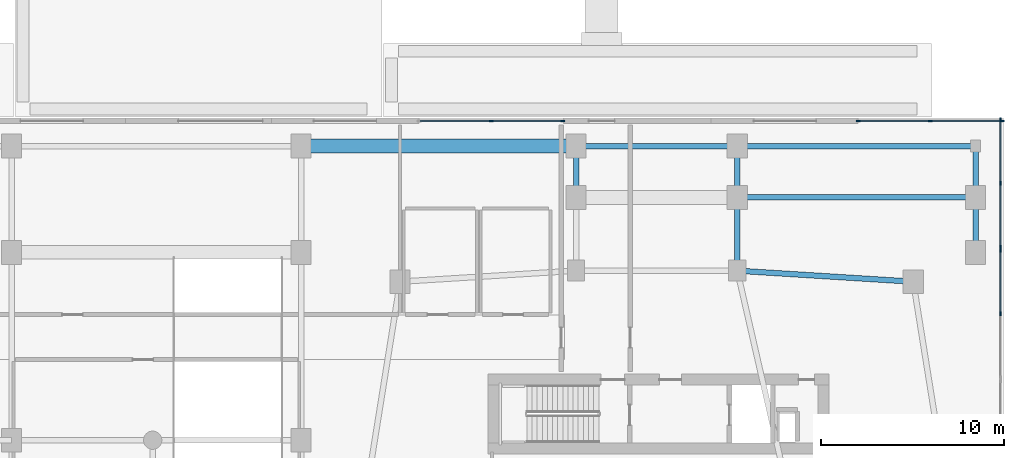
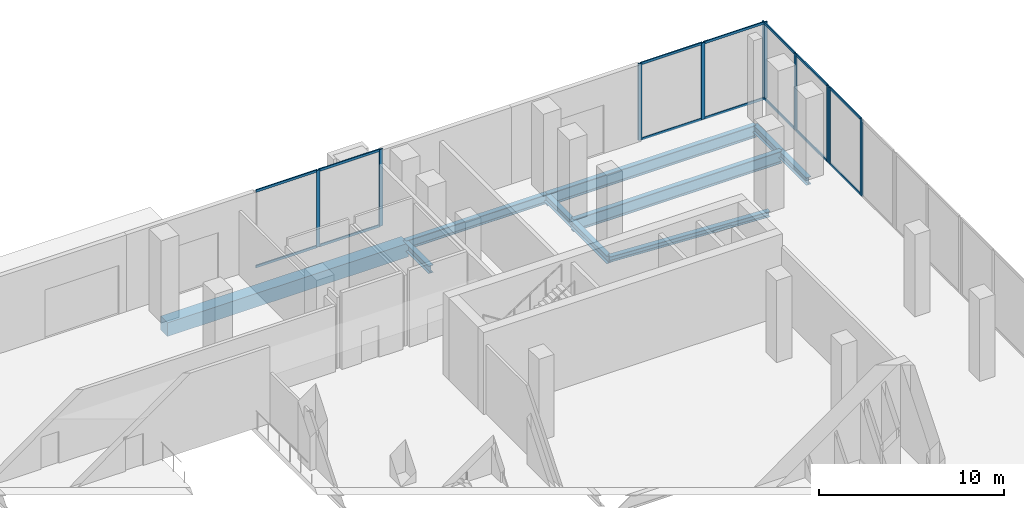
# One storey, part 10 of 24: 24 members, 10 beams, 4 elements without a shape of their own.
"""IFC4 building model written with IfcOpenShell, lengths in metres."""

from ifc_helpers import new_model, si_unit, derived_unit, direction, frame, origin, origin_2d, place, context, subcontext, project, spatial, rectangle, i_section, extrude, material, layer, layer_set, material_profile, profile_set, type_object, element, aggregate, save


model = new_model("IFC4")

# Units and contexts
model_context = context("Model", 3, precision=1e-05, world=origin(), true_north=direction((0.0, 1.0)))
body_context = subcontext(model_context, "Body", "Model", "MODEL_VIEW")
ifc_project = project(units=[si_unit("LENGTHUNIT", "METRE"), si_unit("AREAUNIT", "SQUARE_METRE"), si_unit("VOLUMEUNIT", "CUBIC_METRE"), si_unit("PLANEANGLEUNIT", "RADIAN"), si_unit("MASSUNIT", "GRAM", prefix="KILO"), derived_unit("THERMALTRANSMITTANCEUNIT", [(si_unit("POWERUNIT", "WATT"), 1), (si_unit("LENGTHUNIT", "METRE"), -2), (si_unit("THERMODYNAMICTEMPERATUREUNIT", "KELVIN"), -1)])], contexts=[model_context])

# Site, building, storey
site_placement = place(None, origin())
site = spatial("IfcSite", under=ifc_project, at=site_placement, CompositionType="ELEMENT")
building_placement = place(site_placement, origin())
building = spatial("IfcBuilding", under=site, at=building_placement, Name="Kivonza Crest Hotel", CompositionType="ELEMENT")
storey_placement = place(building_placement, origin())
storey = spatial("IfcBuildingStorey", under=building, at=storey_placement, Name="L00", CompositionType="ELEMENT", Elevation=0.0)

# Beams
ifc_material_1 = material(Name="Steel S355", Category="steel")
ifc_material_profile_1 = material_profile(ifc_material_1, i_section(OverallWidth=0.300048828125, OverallDepth=0.360107421875, WebThickness=0.012451171875, FlangeThickness=0.0224609375, FilletRadius=0.027099609375, at=origin_2d()), Name="HEB 360")
ifc_profile_set_1 = profile_set([ifc_material_profile_1], Name="Steel S355")
beam_type_1 = type_object("IfcBeamType", Name="BM-HEB360", PredefinedType="SPANDREL", material=ifc_profile_set_1)
beam_1_placement = place(storey_placement, frame((91.0, 41.0, -0.530029296875), z_axis=(-0.998051985873, 0.062387767186, 0.0), x_axis=(-0.062387767186, -0.998051985873, 0.0)))
element("IfcBeam", 1, at=beam_1_placement, inside=storey, type_object=beam_type_1, Name="Companion Tower T2 L00 perimeter spandrel NE-N2", PredefinedType="SPANDREL", context=body_context, shape_type="SweptSolid", body=[
    extrude(i_section(OverallWidth=0.300048828125, OverallDepth=0.360107421875, WebThickness=0.012451171875, FlangeThickness=0.0224609375, FilletRadius=0.027099609375, at=origin_2d()), origin(), (0.0, 0.0, 1.0), 9.618896484375),
])
ifc_material_profile_2 = material_profile(ifc_material_1, i_section(OverallWidth=0.300048828125, OverallDepth=0.5, WebThickness=0.014404296875, FlangeThickness=0.028076171875, FilletRadius=0.027099609375, at=origin_2d()), Name="HEB 500")
ifc_profile_set_2 = profile_set([ifc_material_profile_2], Name="Steel S355")
beam_type_2 = type_object("IfcBeamType", Name="BM-HEB500", PredefinedType="BEAM", material=ifc_profile_set_2)
beam_2_placement = place(storey_placement, frame((72.60009765625, 45.60009765625, -0.60009765625), z_axis=(0.0, 1.0, 0.0), x_axis=(-1.0, 0.0, 0.0)))
element("IfcBeam", 2, at=beam_2_placement, inside=storey, type_object=beam_type_2, Name="L00 podium girder Y 86", PredefinedType="BEAM", context=body_context, shape_type="SweptSolid", body=[
    extrude(i_section(OverallWidth=0.300048828125, OverallDepth=0.5, WebThickness=0.014404296875, FlangeThickness=0.028076171875, FilletRadius=0.027099609375, at=origin_2d()), origin(), (0.0, 0.0, 1.0), 2.7998046875),
])
beam_3_placement = place(storey_placement, frame((81.39990234375, 41.60009765625, -0.60009765625), z_axis=(0.0, 1.0, 0.0), x_axis=(-1.0, 0.0, 0.0)))
element("IfcBeam", 3, at=beam_3_placement, inside=storey, type_object=beam_type_2, Name="L00 podium girder Y 89", PredefinedType="BEAM", context=body_context, shape_type="SweptSolid", body=[
    extrude(i_section(OverallWidth=0.300048828125, OverallDepth=0.5, WebThickness=0.014404296875, FlangeThickness=0.028076171875, FilletRadius=0.027099609375, at=origin_2d()), origin(), (0.0, 0.0, 1.0), 4.0),
])
beam_4_placement = place(storey_placement, frame((81.39990234375, 45.60009765625, -0.60009765625), z_axis=(0.0, 1.0, 0.0), x_axis=(-1.0, 0.0, 0.0)))
element("IfcBeam", 4, at=beam_4_placement, inside=storey, type_object=beam_type_2, Name="L00 podium girder Y 90", PredefinedType="BEAM", context=body_context, shape_type="SweptSolid", body=[
    extrude(i_section(OverallWidth=0.300048828125, OverallDepth=0.5, WebThickness=0.014404296875, FlangeThickness=0.028076171875, FilletRadius=0.027099609375, at=origin_2d()), origin(), (0.0, 0.0, 1.0), 2.7998046875),
])
beam_5_placement = place(storey_placement, frame((94.39990234375, 42.60009765625, -0.60009765625), z_axis=(0.0, 1.0, 0.0), x_axis=(-1.0, 0.0, 0.0)))
element("IfcBeam", 5, at=beam_5_placement, inside=storey, type_object=beam_type_2, Name="L00 podium girder Y 95", PredefinedType="BEAM", context=body_context, shape_type="SweptSolid", body=[
    extrude(i_section(OverallWidth=0.300048828125, OverallDepth=0.5, WebThickness=0.014404296875, FlangeThickness=0.028076171875, FilletRadius=0.027099609375, at=origin_2d()), origin(), (0.0, 0.0, 1.0), 3.0),
])
beam_6_placement = place(storey_placement, frame((94.39990234375, 45.60009765625, -0.60009765625), z_axis=(0.0, 1.0, 0.0), x_axis=(-1.0, 0.0, 0.0)))
element("IfcBeam", 6, at=beam_6_placement, inside=storey, type_object=beam_type_2, Name="L00 podium girder Y 96", PredefinedType="BEAM", context=body_context, shape_type="SweptSolid", body=[
    extrude(i_section(OverallWidth=0.300048828125, OverallDepth=0.5, WebThickness=0.014404296875, FlangeThickness=0.028076171875, FilletRadius=0.027099609375, at=origin_2d()), origin(), (0.0, 0.0, 1.0), 2.7998046875),
])
ifc_material_profile_3 = material_profile(ifc_material_1, i_section(OverallWidth=0.300048828125, OverallDepth=0.60009765625, WebThickness=0.015380859375, FlangeThickness=0.030029296875, FilletRadius=0.027099609375, at=origin_2d()), Name="HEB 600")
ifc_profile_set_3 = profile_set([ifc_material_profile_3], Name="Steel S355")
beam_type_3 = type_object("IfcBeamType", Name="BM-HEB600", PredefinedType="BEAM", material=ifc_profile_set_3)
beam_7_placement = place(storey_placement, frame((72.60009765625, 48.39990234375, -0.64990234375), z_axis=(1.0, 0.0, 0.0), x_axis=(0.0, 1.0, 0.0)))
element("IfcBeam", 7, at=beam_7_placement, inside=storey, type_object=beam_type_3, Name="L00 podium girder X 46", PredefinedType="BEAM", context=body_context, shape_type="SweptSolid", body=[
    extrude(i_section(OverallWidth=0.300048828125, OverallDepth=0.60009765625, WebThickness=0.015380859375, FlangeThickness=0.030029296875, FilletRadius=0.027099609375, at=origin_2d()), origin(), (0.0, 0.0, 1.0), 8.7998046875),
])
ifc_material_profile_4 = material_profile(ifc_material_1, i_section(OverallWidth=0.300048828125, OverallDepth=0.800048828125, WebThickness=0.017578125, FlangeThickness=0.032958984375, FilletRadius=0.030029296875, at=origin_2d()), Name="HEB 800")
ifc_profile_set_4 = profile_set([ifc_material_profile_4], Name="Steel S355")
beam_type_4 = type_object("IfcBeamType", Name="BM-HEB800", PredefinedType="BEAM", material=ifc_profile_set_4)
for number, where, z_axis, x_axis, name in (
    (8, (81.39990234375, 45.60009765625, -0.75), (1.0, 0.0, 0.0), (0.0, 1.0, 0.0), "L00 podium girder X 40"),
    (9, (81.39990234375, 48.39990234375, -0.75), (1.0, 0.0, 0.0), (0.0, 1.0, 0.0), "L00 podium girder X 47"),
):
    element("IfcBeam", number, at=place(storey_placement, frame(where, z_axis=z_axis, x_axis=x_axis)), inside=storey, type_object=beam_type_4, Name=name, PredefinedType="BEAM", context=body_context, shape_type="SweptSolid", body=[
        extrude(i_section(OverallWidth=0.300048828125, OverallDepth=0.800048828125, WebThickness=0.017578125, FlangeThickness=0.032958984375, FilletRadius=0.030029296875, at=origin_2d()), origin(), (0.0, 0.0, 1.0), 13.0),
    ])
ifc_material_2 = material(Name="Concrete C40/50", Category="concrete")
ifc_material_profile_5 = material_profile(ifc_material_2, rectangle(XDim=0.75, YDim=0.89990234375, at=origin_2d()), Name="RC 900x750")
ifc_profile_set_5 = profile_set([ifc_material_profile_5], Name="Concrete C40/50")
beam_type_5 = type_object("IfcBeamType", Name="BM-RCT-900x750", PredefinedType="T_BEAM", material=ifc_profile_set_5)
beam_8_placement = place(storey_placement, frame((57.60009765625, 48.39990234375, -0.800048828125), z_axis=(1.0, 0.0, 0.0), x_axis=(0.0, 1.0, 0.0)))
element("IfcBeam", 10, at=beam_8_placement, inside=storey, type_object=beam_type_5, Name="L00 reinforced concrete T-beam 45", PredefinedType="T_BEAM", context=body_context, shape_type="SweptSolid", body=[
    extrude(rectangle(XDim=0.75, YDim=0.89990234375, at=origin_2d()), origin(), (0.0, 0.0, 1.0), 15.0),
])

# Curtain wall, members
ifc_material_3 = material(Name="Anodised bronze aluminium and low-E double glazing", Category="aluminium")
ifc_layer = layer(ifc_material_3, 0.219970703125)
ifc_layer_set = layer_set([ifc_layer], Name="Anodised bronze aluminium and low-E double glazing")
curtain_wall_type = type_object("IfcCurtainWallType", Name="CW-SYS-1", PredefinedType="NOTDEFINED", material=ifc_layer_set)
curtain_wall_1_placement = place(storey_placement, origin())
curtain_wall_1 = element("IfcCurtainWall", 11, at=curtain_wall_1_placement, inside=storey, type_object=curtain_wall_type, Name="L00 unitised curtain wall CW-POD-L00-18", PredefinedType="NOTDEFINED")
ifc_material_4 = material(Name="Anodised bronze aluminium", Category="aluminium")
ifc_material_profile_6 = material_profile(ifc_material_4, rectangle(XDim=0.074951171875, YDim=0.219970703125, at=origin_2d()), Name="CW-M 75x220")
ifc_profile_set_6 = profile_set([ifc_material_profile_6], Name="Anodised bronze aluminium")
member_type_1 = type_object("IfcMemberType", Name="CW-MUL-75x220", PredefinedType="MULLION", material=ifc_profile_set_6)
member_1_placement = place(storey_placement, frame((95.760009765625, 39.239990234375, 0.0), z_axis=(0.0, 0.0, 1.0), x_axis=(-1.0, 0.0, 0.0)))
member_1 = element("IfcMember", 12, at=member_1_placement, type_object=member_type_1, Name="CW-1 mullion 2", PredefinedType="MULLION", context=body_context, shape_type="SweptSolid", body=[
    extrude(rectangle(XDim=0.074951171875, YDim=0.219970703125, at=origin_2d()), origin(), (0.0, 0.0, 1.0), 5.050048828125),
])
member_2_placement = place(storey_placement, frame((95.760009765625, 42.722412109375, 0.0), z_axis=(0.0, 0.0, 1.0), x_axis=(-1.0, 0.0, 0.0)))
member_2 = element("IfcMember", 13, at=member_2_placement, type_object=member_type_1, Name="CW-1 mullion 3", PredefinedType="MULLION", context=body_context, shape_type="SweptSolid", body=[
    extrude(rectangle(XDim=0.074951171875, YDim=0.219970703125, at=origin_2d()), origin(), (0.0, 0.0, 1.0), 5.050048828125),
])

curtain_wall_2_placement = place(storey_placement, origin())
curtain_wall_2 = element("IfcCurtainWall", 14, at=curtain_wall_2_placement, inside=storey, type_object=curtain_wall_type, Name="L00 unitised curtain wall CW-POD-L00-19", PredefinedType="NOTDEFINED")
member_3_placement = place(storey_placement, frame((95.760009765625, 42.87744140625, 0.0), z_axis=(0.0, 0.0, 1.0), x_axis=(-1.0, 0.0, 0.0)))
member_3 = element("IfcMember", 15, at=member_3_placement, type_object=member_type_1, Name="CW-1 mullion 1", PredefinedType="MULLION", context=body_context, shape_type="SweptSolid", body=[
    extrude(rectangle(XDim=0.074951171875, YDim=0.219970703125, at=origin_2d()), origin(), (0.0, 0.0, 1.0), 5.050048828125),
])
member_4_placement = place(storey_placement, frame((95.760009765625, 46.360107421875, 0.0), z_axis=(0.0, 0.0, 1.0), x_axis=(-1.0, 0.0, 0.0)))
member_4 = element("IfcMember", 16, at=member_4_placement, type_object=member_type_1, Name="CW-1 mullion 2", PredefinedType="MULLION", context=body_context, shape_type="SweptSolid", body=[
    extrude(rectangle(XDim=0.074951171875, YDim=0.219970703125, at=origin_2d()), origin(), (0.0, 0.0, 1.0), 5.050048828125),
])
member_5_placement = place(storey_placement, frame((95.760009765625, 49.842529296875, 0.0), z_axis=(0.0, 0.0, 1.0), x_axis=(-1.0, 0.0, 0.0)))
member_5 = element("IfcMember", 17, at=member_5_placement, type_object=member_type_1, Name="CW-1 mullion 3", PredefinedType="MULLION", context=body_context, shape_type="SweptSolid", body=[
    extrude(rectangle(XDim=0.074951171875, YDim=0.219970703125, at=origin_2d()), origin(), (0.0, 0.0, 1.0), 5.050048828125),
])

curtain_wall_3_placement = place(storey_placement, origin())
curtain_wall_3 = element("IfcCurtainWall", 18, at=curtain_wall_3_placement, inside=storey, type_object=curtain_wall_type, Name="L00 unitised curtain wall CW-POD-L00-20", PredefinedType="NOTDEFINED")
member_6_placement = place(storey_placement, frame((95.842529296875, 49.760009765625, 0.0), z_axis=(0.0, 0.0, 1.0), x_axis=(0.0, -1.0, 0.0)))
member_6 = element("IfcMember", 19, at=member_6_placement, type_object=member_type_1, Name="CW-1 mullion 1", PredefinedType="MULLION", context=body_context, shape_type="SweptSolid", body=[
    extrude(rectangle(XDim=0.074951171875, YDim=0.219970703125, at=origin_2d()), origin(), (0.0, 0.0, 1.0), 5.050048828125),
])
member_7_placement = place(storey_placement, frame((91.926513671875, 49.760009765625, 0.0), z_axis=(0.0, 0.0, 1.0), x_axis=(0.0, -1.0, 0.0)))
member_7 = element("IfcMember", 20, at=member_7_placement, type_object=member_type_1, Name="CW-1 mullion 2", PredefinedType="MULLION", context=body_context, shape_type="SweptSolid", body=[
    extrude(rectangle(XDim=0.074951171875, YDim=0.219970703125, at=origin_2d()), origin(), (0.0, 0.0, 1.0), 5.050048828125),
])
member_8_placement = place(storey_placement, frame((88.010498046875, 49.760009765625, 0.0), z_axis=(0.0, 0.0, 1.0), x_axis=(0.0, -1.0, 0.0)))
member_8 = element("IfcMember", 21, at=member_8_placement, type_object=member_type_1, Name="CW-1 mullion 3", PredefinedType="MULLION", context=body_context, shape_type="SweptSolid", body=[
    extrude(rectangle(XDim=0.074951171875, YDim=0.219970703125, at=origin_2d()), origin(), (0.0, 0.0, 1.0), 5.050048828125),
])

curtain_wall_4_placement = place(storey_placement, origin())
curtain_wall_4 = element("IfcCurtainWall", 22, at=curtain_wall_4_placement, inside=storey, type_object=curtain_wall_type, Name="L00 unitised curtain wall CW-POD-L00-23", PredefinedType="NOTDEFINED")
member_9_placement = place(storey_placement, frame((71.882568359375, 49.760009765625, 0.0), z_axis=(0.0, 0.0, 1.0), x_axis=(0.0, -1.0, 0.0)))
member_9 = element("IfcMember", 23, at=member_9_placement, type_object=member_type_1, Name="CW-1 mullion 1", PredefinedType="MULLION", context=body_context, shape_type="SweptSolid", body=[
    extrude(rectangle(XDim=0.074951171875, YDim=0.219970703125, at=origin_2d()), origin(), (0.0, 0.0, 1.0), 5.050048828125),
])
member_10_placement = place(storey_placement, frame((67.966552734375, 49.760009765625, 0.0), z_axis=(0.0, 0.0, 1.0), x_axis=(0.0, -1.0, 0.0)))
member_10 = element("IfcMember", 24, at=member_10_placement, type_object=member_type_1, Name="CW-1 mullion 2", PredefinedType="MULLION", context=body_context, shape_type="SweptSolid", body=[
    extrude(rectangle(XDim=0.074951171875, YDim=0.219970703125, at=origin_2d()), origin(), (0.0, 0.0, 1.0), 5.050048828125),
])

# Member
ifc_material_profile_7 = material_profile(ifc_material_4, rectangle(XDim=0.074951171875, YDim=0.159912109375, at=origin_2d()), Name="CW-T 75x160")
ifc_profile_set_7 = profile_set([ifc_material_profile_7], Name="Anodised bronze aluminium")
member_type_2 = type_object("IfcMemberType", Name="CW-TRN-75x160", PredefinedType="USERDEFINED", material=ifc_profile_set_7)
member_11_placement = place(storey_placement, frame((95.760009765625, 39.277587890625, 0.03759765625), z_axis=(0.0, 1.0, 0.0), x_axis=(-1.0, 0.0, 0.0)))
member_11 = element("IfcMember", 25, at=member_11_placement, type_object=member_type_2, Name="CW-1 transom 2.1", ObjectType="TRANSOM", PredefinedType="USERDEFINED", context=body_context, shape_type="SweptSolid", body=[
    extrude(rectangle(XDim=0.074951171875, YDim=0.159912109375, at=origin_2d()), origin(), (0.0, 0.0, 1.0), 3.407470703125),
])

member_12_placement = place(storey_placement, frame((95.760009765625, 39.277587890625, 5.012451171875), z_axis=(0.0, 1.0, 0.0), x_axis=(-1.0, 0.0, 0.0)))
member_12 = element("IfcMember", 26, at=member_12_placement, type_object=member_type_2, Name="CW-1 transom 2.2", ObjectType="TRANSOM", PredefinedType="USERDEFINED", context=body_context, shape_type="SweptSolid", body=[
    extrude(rectangle(XDim=0.074951171875, YDim=0.159912109375, at=origin_2d()), origin(), (0.0, 0.0, 1.0), 3.407470703125),
])

aggregate(curtain_wall_1, [member_1, member_2, member_11, member_12])

member_13_placement = place(storey_placement, frame((95.760009765625, 42.9150390625, 0.03759765625), z_axis=(0.0, 1.0, 0.0), x_axis=(-1.0, 0.0, 0.0)))
member_13 = element("IfcMember", 27, at=member_13_placement, type_object=member_type_2, Name="CW-1 transom 1.1", ObjectType="TRANSOM", PredefinedType="USERDEFINED", context=body_context, shape_type="SweptSolid", body=[
    extrude(rectangle(XDim=0.074951171875, YDim=0.159912109375, at=origin_2d()), origin(), (0.0, 0.0, 1.0), 3.407470703125),
])

member_14_placement = place(storey_placement, frame((95.760009765625, 42.9150390625, 5.012451171875), z_axis=(0.0, 1.0, 0.0), x_axis=(-1.0, 0.0, 0.0)))
member_14 = element("IfcMember", 28, at=member_14_placement, type_object=member_type_2, Name="CW-1 transom 1.2", ObjectType="TRANSOM", PredefinedType="USERDEFINED", context=body_context, shape_type="SweptSolid", body=[
    extrude(rectangle(XDim=0.074951171875, YDim=0.159912109375, at=origin_2d()), origin(), (0.0, 0.0, 1.0), 3.407470703125),
])

member_15_placement = place(storey_placement, frame((95.760009765625, 46.3974609375, 0.03759765625), z_axis=(0.0, 1.0, 0.0), x_axis=(-1.0, 0.0, 0.0)))
member_15 = element("IfcMember", 29, at=member_15_placement, type_object=member_type_2, Name="CW-1 transom 2.1", ObjectType="TRANSOM", PredefinedType="USERDEFINED", context=body_context, shape_type="SweptSolid", body=[
    extrude(rectangle(XDim=0.074951171875, YDim=0.159912109375, at=origin_2d()), origin(), (0.0, 0.0, 1.0), 3.407470703125),
])

member_16_placement = place(storey_placement, frame((95.760009765625, 46.3974609375, 5.012451171875), z_axis=(0.0, 1.0, 0.0), x_axis=(-1.0, 0.0, 0.0)))
member_16 = element("IfcMember", 30, at=member_16_placement, type_object=member_type_2, Name="CW-1 transom 2.2", ObjectType="TRANSOM", PredefinedType="USERDEFINED", context=body_context, shape_type="SweptSolid", body=[
    extrude(rectangle(XDim=0.074951171875, YDim=0.159912109375, at=origin_2d()), origin(), (0.0, 0.0, 1.0), 3.407470703125),
])

aggregate(curtain_wall_2, [member_3, member_4, member_5, member_13, member_14, member_15, member_16])

member_17_placement = place(storey_placement, frame((95.804931640625, 49.760009765625, 0.03759765625), z_axis=(-1.0, 0.0, 0.0), x_axis=(0.0, -1.0, 0.0)))
member_17 = element("IfcMember", 31, at=member_17_placement, type_object=member_type_2, Name="CW-1 transom 1.1", ObjectType="TRANSOM", PredefinedType="USERDEFINED", context=body_context, shape_type="SweptSolid", body=[
    extrude(rectangle(XDim=0.074951171875, YDim=0.159912109375, at=origin_2d()), origin(), (0.0, 0.0, 1.0), 3.8408203125),
])

member_18_placement = place(storey_placement, frame((95.804931640625, 49.760009765625, 5.012451171875), z_axis=(-1.0, 0.0, 0.0), x_axis=(0.0, -1.0, 0.0)))
member_18 = element("IfcMember", 32, at=member_18_placement, type_object=member_type_2, Name="CW-1 transom 1.2", ObjectType="TRANSOM", PredefinedType="USERDEFINED", context=body_context, shape_type="SweptSolid", body=[
    extrude(rectangle(XDim=0.074951171875, YDim=0.159912109375, at=origin_2d()), origin(), (0.0, 0.0, 1.0), 3.8408203125),
])

member_19_placement = place(storey_placement, frame((91.888916015625, 49.760009765625, 0.03759765625), z_axis=(-1.0, 0.0, 0.0), x_axis=(0.0, -1.0, 0.0)))
member_19 = element("IfcMember", 33, at=member_19_placement, type_object=member_type_2, Name="CW-1 transom 2.1", ObjectType="TRANSOM", PredefinedType="USERDEFINED", context=body_context, shape_type="SweptSolid", body=[
    extrude(rectangle(XDim=0.074951171875, YDim=0.159912109375, at=origin_2d()), origin(), (0.0, 0.0, 1.0), 3.8408203125),
])

member_20_placement = place(storey_placement, frame((91.888916015625, 49.760009765625, 5.012451171875), z_axis=(-1.0, 0.0, 0.0), x_axis=(0.0, -1.0, 0.0)))
member_20 = element("IfcMember", 34, at=member_20_placement, type_object=member_type_2, Name="CW-1 transom 2.2", ObjectType="TRANSOM", PredefinedType="USERDEFINED", context=body_context, shape_type="SweptSolid", body=[
    extrude(rectangle(XDim=0.074951171875, YDim=0.159912109375, at=origin_2d()), origin(), (0.0, 0.0, 1.0), 3.8408203125),
])

aggregate(curtain_wall_3, [member_6, member_7, member_8, member_17, member_18, member_19, member_20])

member_21_placement = place(storey_placement, frame((71.844970703125, 49.760009765625, 0.03759765625), z_axis=(-1.0, 0.0, 0.0), x_axis=(0.0, -1.0, 0.0)))
member_21 = element("IfcMember", 35, at=member_21_placement, type_object=member_type_2, Name="CW-1 transom 1.1", ObjectType="TRANSOM", PredefinedType="USERDEFINED", context=body_context, shape_type="SweptSolid", body=[
    extrude(rectangle(XDim=0.074951171875, YDim=0.159912109375, at=origin_2d()), origin(), (0.0, 0.0, 1.0), 3.841064453125),
])

member_22_placement = place(storey_placement, frame((71.844970703125, 49.760009765625, 5.012451171875), z_axis=(-1.0, 0.0, 0.0), x_axis=(0.0, -1.0, 0.0)))
member_22 = element("IfcMember", 36, at=member_22_placement, type_object=member_type_2, Name="CW-1 transom 1.2", ObjectType="TRANSOM", PredefinedType="USERDEFINED", context=body_context, shape_type="SweptSolid", body=[
    extrude(rectangle(XDim=0.074951171875, YDim=0.159912109375, at=origin_2d()), origin(), (0.0, 0.0, 1.0), 3.841064453125),
])

member_23_placement = place(storey_placement, frame((67.928955078125, 49.760009765625, 0.03759765625), z_axis=(-1.0, 0.0, 0.0), x_axis=(0.0, -1.0, 0.0)))
member_23 = element("IfcMember", 37, at=member_23_placement, type_object=member_type_2, Name="CW-1 transom 2.1", ObjectType="TRANSOM", PredefinedType="USERDEFINED", context=body_context, shape_type="SweptSolid", body=[
    extrude(rectangle(XDim=0.074951171875, YDim=0.159912109375, at=origin_2d()), origin(), (0.0, 0.0, 1.0), 3.841064453125),
])

member_24_placement = place(storey_placement, frame((67.928955078125, 49.760009765625, 5.012451171875), z_axis=(-1.0, 0.0, 0.0), x_axis=(0.0, -1.0, 0.0)))
member_24 = element("IfcMember", 38, at=member_24_placement, type_object=member_type_2, Name="CW-1 transom 2.2", ObjectType="TRANSOM", PredefinedType="USERDEFINED", context=body_context, shape_type="SweptSolid", body=[
    extrude(rectangle(XDim=0.074951171875, YDim=0.159912109375, at=origin_2d()), origin(), (0.0, 0.0, 1.0), 3.841064453125),
])

aggregate(curtain_wall_4, [member_9, member_10, member_21, member_22, member_23, member_24])

save(model, "model.ifc")
